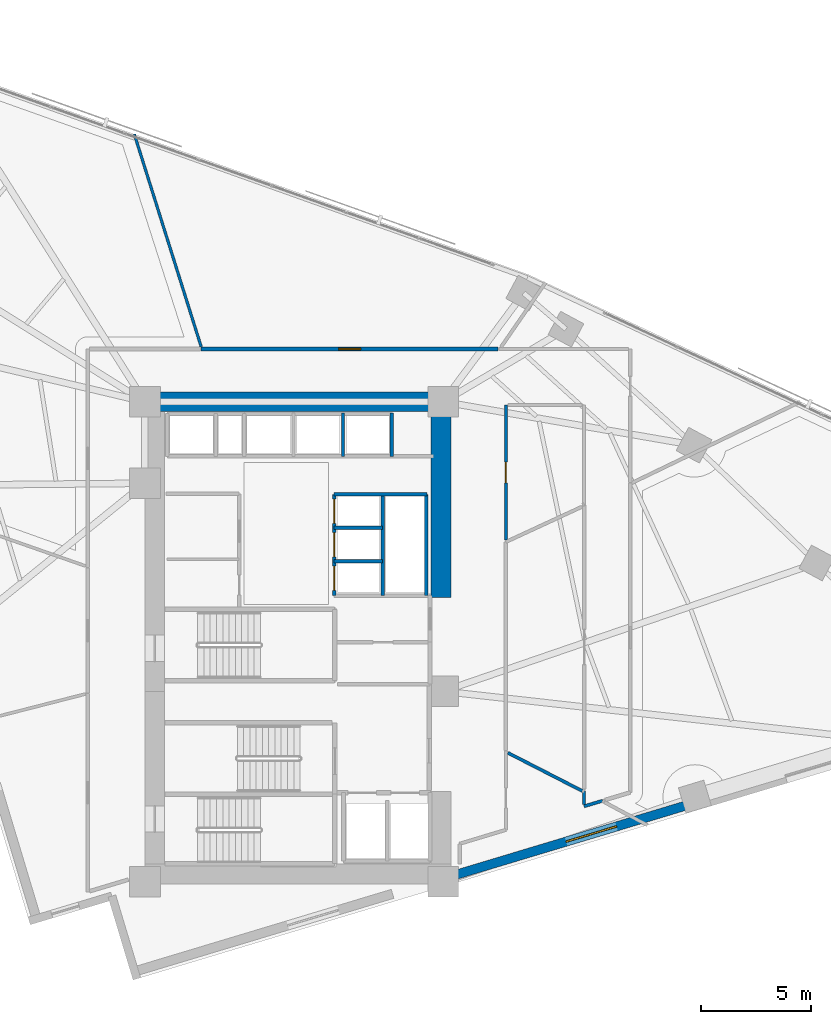
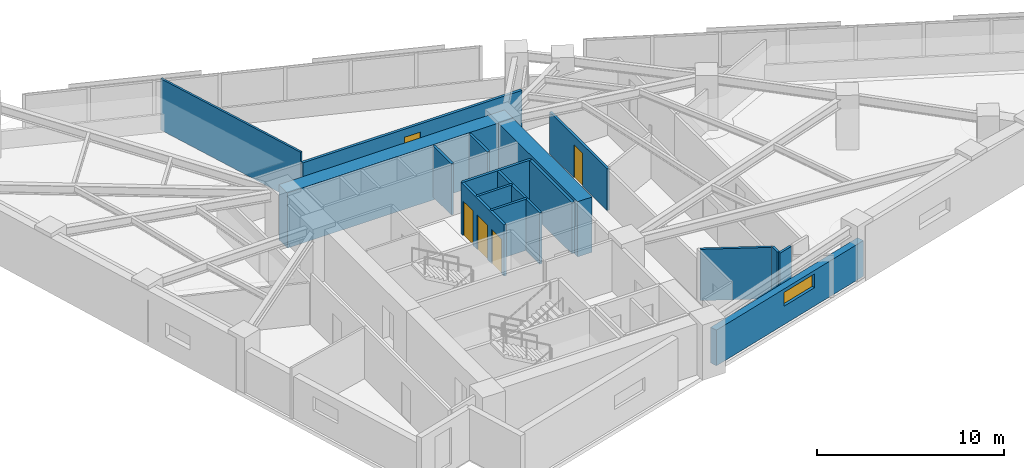
# One storey, part 11 of 16: 17 walls, 5 doors, 1 window, 6 openings.
"""IFC4 building model written with IfcOpenShell, lengths in metres."""

import ifcopenshell
import ifcopenshell.guid

model = None  # the IFC model being written
_history = None  # IfcOwnerHistory: only IFC2X3 demands one
_inside = {}  # id of a spatial element -> (the spatial element, [elements in it])
_under = {}  # id of a project, library or spatial element -> (it, [spatial elements below it])
_declared = {}  # id of a project -> (the project, [libraries it declares])
_typed = {}  # id of a type object -> (the type object, [elements of that type])
_made_of = {}  # id of a material, layer set ... -> (it, [elements and type objects made of it])


def new_model(schema):
    """Start an empty IFC model of exactly this schema.

    Asked for "IFC4X3", IfcOpenShell would pick the latest addendum, in which some entities
    have other attributes; the version numbers below select the first issue.
    IFC2X3 requires an IfcOwnerHistory on every rooted entity: one is made here for all.
    """
    global model, _history
    if schema == "IFC4X3":
        model = ifcopenshell.file(schema_version=(4, 3, 0, 0))
    else:
        model = ifcopenshell.file(schema=schema)
    _inside.clear()
    _under.clear()
    _declared.clear()
    _typed.clear()
    _made_of.clear()
    _history = None
    if model.schema == "IFC2X3":
        org = make("IfcOrganization", Name="unknown")
        user = make(
            "IfcPersonAndOrganization",
            ThePerson=make("IfcPerson", FamilyName="unknown"),
            TheOrganization=org,
        )
        app = make(
            "IfcApplication",
            ApplicationDeveloper=org,
            Version="unknown",
            ApplicationFullName="unknown",
            ApplicationIdentifier="unknown",
        )
        _history = make(
            "IfcOwnerHistory",
            OwningUser=user,
            OwningApplication=app,
            ChangeAction="ADDED",
            CreationDate=0,
        )
    return model


def make(cls, **values):
    """One entity of the class cls with the attributes given. An attribute that is None is left unset."""
    return model.create_entity(
        cls, **{name: value for name, value in values.items() if value is not None}
    )


def rooted(cls, **values):
    """An entity with a GlobalId (a new one), such as an element, a storey or a relation."""
    return make(cls, GlobalId=ifcopenshell.guid.new(), OwnerHistory=_history, **values)


def si_unit(unit_type, name, prefix=None):
    """IfcSIUnit, for example si_unit("LENGTHUNIT", "METRE", prefix="MILLI")."""
    return make("IfcSIUnit", UnitType=unit_type, Prefix=prefix, Name=name)


def assignment(units):
    """IfcUnitAssignment: the units of a project."""
    return None if units is None else make("IfcUnitAssignment", Units=units)


def point(xyz):
    """IfcCartesianPoint."""
    return None if xyz is None else make("IfcCartesianPoint", Coordinates=xyz)


def direction(xyz):
    """IfcDirection."""
    return None if xyz is None else make("IfcDirection", DirectionRatios=xyz)


def frame(location, z_axis=None, x_axis=None):
    """IfcAxis2Placement3D, a coordinate frame: its origin and axes. An axis left out is left unset."""
    return make(
        "IfcAxis2Placement3D",
        Location=point(location),
        Axis=direction(z_axis),
        RefDirection=direction(x_axis),
    )


def frame_2d(location, x_axis=None):
    """IfcAxis2Placement2D, a coordinate frame in the plane: its origin and x axis."""
    return make(
        "IfcAxis2Placement2D", Location=point(location), RefDirection=direction(x_axis)
    )


def origin():
    """The frame at (0, 0, 0) with its axes left unset."""
    return frame((0.0, 0.0, 0.0))


def place(relative_to, where):
    """IfcLocalPlacement: puts the frame where relative to a parent placement (None: the world)."""
    return make(
        "IfcLocalPlacement", PlacementRelTo=relative_to, RelativePlacement=where
    )


def context(
    kind, dimensions, precision=None, world=None, true_north=None, identifier=None
):
    """IfcGeometricRepresentationContext, for example the 3D "Model" context."""
    return make(
        "IfcGeometricRepresentationContext",
        ContextIdentifier=identifier,
        ContextType=kind,
        CoordinateSpaceDimension=dimensions,
        Precision=precision,
        WorldCoordinateSystem=world,
        TrueNorth=true_north,
    )


def subcontext(parent, identifier, kind, view, scale=None):
    """IfcGeometricRepresentationSubContext, for example "Body" below "Model"."""
    return make(
        "IfcGeometricRepresentationSubContext",
        ContextIdentifier=identifier,
        ContextType=kind,
        ParentContext=parent,
        TargetScale=scale,
        TargetView=view,
    )


def project(units=None, contexts=None):
    """IfcProject with its units and contexts."""
    return rooted(
        "IfcProject",
        Name="project",
        RepresentationContexts=contexts,
        UnitsInContext=assignment(units),
    )


def spatial(cls, under=None, at=None, **own):
    """A site, building, storey or space (cls), placed at a placement, below another one or the project."""
    s = rooted(cls, ObjectPlacement=at, **own)
    if under is not None:
        _under.setdefault(under.id(), (under, []))[1].append(s)
    return s


def profile(cls, at=None, kind="AREA", **sizes):
    """A parametric profile (cls). Its sizes go by their IFC names, for example OverallWidth=200.0."""
    return make(cls, ProfileType=kind, Position=at, **sizes)


def rectangle(**sizes):
    """IfcRectangleProfileDef."""
    return profile("IfcRectangleProfileDef", **sizes)


def extrude(swept, where, along, depth):
    """IfcExtrudedAreaSolid: the profile swept, set in the frame where, extruded along a direction by depth."""
    return make(
        "IfcExtrudedAreaSolid",
        SweptArea=swept,
        Position=where,
        ExtrudedDirection=direction(along),
        Depth=depth,
    )


def shape(context_of_items, identifier, shape_type, items):
    """IfcShapeRepresentation: the items that make up one representation, for example the "Body"."""
    return make(
        "IfcShapeRepresentation",
        ContextOfItems=context_of_items,
        RepresentationIdentifier=identifier,
        RepresentationType=shape_type,
        Items=items,
    )


def material(Name=None, Category=None):
    """IfcMaterial."""
    return make("IfcMaterial", Name=Name, Category=Category)


def layer(
    of_material, thickness, ventilated=None, Name=None, Category=None, Priority=None
):
    """IfcMaterialLayer: one layer of a wall or slab, of a material (None: an air gap)."""
    return make(
        "IfcMaterialLayer",
        Material=of_material,
        LayerThickness=thickness,
        IsVentilated=ventilated,
        Name=Name,
        Category=Category,
        Priority=Priority,
    )


def layer_set(layers, Name=None):
    """IfcMaterialLayerSet."""
    return make("IfcMaterialLayerSet", MaterialLayers=layers, LayerSetName=Name)


def made_of(thing, what):
    """Note that an element or type object is made of a material, layer set ...; save() writes the relation."""
    if what is not None:
        _made_of.setdefault(what.id(), (what, []))[1].append(thing)
    return thing


def type_object(cls, material=None, **own):
    """A type object (cls), such as IfcWallType, which elements share."""
    return made_of(rooted(cls, **own), material)


def element(
    cls,
    number,
    at=None,
    inside=None,
    cuts=None,
    type_object=None,
    material=None,
    context=None,
    identifier="Body",
    shape_type=None,
    held_by="IfcProductDefinitionShape",
    body=None,
    shapes=None,
    **own,
):
    """One element of the class cls, such as IfcWall. Its Tag is "e" and its number.

    at: its placement. inside: the storey or other place that contains it. cuts: it is an
    opening in that element (IfcRelVoidsElement). A single representation is given by context,
    identifier, shape_type and body (its items); several are given by shapes. held_by: the class
    of the entity that holds the representations. save() writes the other relations.
    """
    e = rooted(cls, Tag="e%d" % number, ObjectPlacement=at, **own)
    if body is not None:
        shapes = [shape(context, identifier, shape_type, body)]
    if shapes is not None:
        e.Representation = make(held_by, Representations=shapes)
    if inside is not None:
        _inside.setdefault(inside.id(), (inside, []))[1].append(e)
    if cuts is not None:
        rooted(
            "IfcRelVoidsElement", RelatingBuildingElement=cuts, RelatedOpeningElement=e
        )
    if type_object is not None:
        _typed.setdefault(type_object.id(), (type_object, []))[1].append(e)
    return made_of(e, material)


def fill(opening, filler):
    """IfcRelFillsElement: the door or window that sits in an opening."""
    return rooted(
        "IfcRelFillsElement",
        RelatingOpeningElement=opening,
        RelatedBuildingElement=filler,
    )


def aggregate(whole, parts):
    """IfcRelAggregates: a whole, such as a stair, and the parts it consists of."""
    return rooted("IfcRelAggregates", RelatingObject=whole, RelatedObjects=parts)


def save(model, path):
    """Write the relations noted so far, then the file.

    IfcRelAggregates (storeys below a building ...), IfcRelContainedInSpatialStructure (elements
    in a storey), IfcRelDefinesByType, IfcRelAssociatesMaterial and IfcRelDeclares: one each for
    every whole, place, type object, material and project.
    """
    for whole, parts in _under.values():
        aggregate(whole, parts)
    for where, things in _inside.values():
        rooted(
            "IfcRelContainedInSpatialStructure",
            RelatedElements=things,
            RelatingStructure=where,
        )
    for kind, things in _typed.values():
        rooted("IfcRelDefinesByType", RelatedObjects=things, RelatingType=kind)
    for what, things in _made_of.values():
        rooted("IfcRelAssociatesMaterial", RelatedObjects=things, RelatingMaterial=what)
    for by, libraries in _declared.values():
        rooted("IfcRelDeclares", RelatingContext=by, RelatedDefinitions=libraries)
    model.write(path)


model = new_model("IFC4")

# Units and contexts
model_context = context("Model", 3, precision=1e-05, world=origin(), true_north=direction((0.0, 1.0)))
body_context = subcontext(model_context, "Body", "Model", "MODEL_VIEW")
ifc_project = project(units=[si_unit("LENGTHUNIT", "METRE"), si_unit("AREAUNIT", "SQUARE_METRE"), si_unit("VOLUMEUNIT", "CUBIC_METRE"), si_unit("PLANEANGLEUNIT", "RADIAN"), si_unit("MASSUNIT", "GRAM", prefix="KILO")], contexts=[model_context])

# Site, building, storey
site_placement = place(None, origin())
site = spatial("IfcSite", under=ifc_project, at=site_placement, CompositionType="ELEMENT")
building_placement = place(site_placement, origin())
building = spatial("IfcBuilding", under=site, at=building_placement, Name="Narakoshi Arena Tower", CompositionType="ELEMENT")
storey_placement = place(building_placement, frame((0.0, 0.0, 146.699951171875)))
storey = spatial("IfcBuildingStorey", under=building, at=storey_placement, Name="L39", CompositionType="ELEMENT", Elevation=146.699951171875)

# Walls
ifc_material_1 = material(Name="Concrete C60/75", Category="concrete")
ifc_layer_1 = layer(ifc_material_1, 0.89990234375)
ifc_layer_set_1 = layer_set([ifc_layer_1], Name="Concrete C60/75")
wall_type_1 = type_object("IfcWallType", Name="WL-CORE-900", PredefinedType="SHEAR", material=ifc_layer_set_1)
wall_1_placement = place(storey_placement, frame((72.0, 56.5, -0.260009765625), z_axis=(0.0, 0.0, 1.0), x_axis=(1.0, 0.0, 0.0)))
element("IfcWall", 1, at=wall_1_placement, inside=storey, type_object=wall_type_1, Name="L39 Main Core Shear Wall CW-MN-N", PredefinedType="SHEAR", context=body_context, shape_type="SweptSolid", body=[
    extrude(rectangle(XDim=13.89990234375, YDim=0.89990234375, at=frame_2d((6.949951171875, 0.0))), origin(), (0.0, 0.0, 1.0), 3.60009765625),
])
wall_2_placement = place(storey_placement, frame((85.449951171875, 47.60009765625, -0.260009765625), z_axis=(0.0, 0.0, 1.0), x_axis=(0.0, 1.0, 0.0)))
element("IfcWall", 2, at=wall_2_placement, inside=storey, type_object=wall_type_1, Name="L39 Main Core Shear Wall CW-MN-E", PredefinedType="SHEAR", context=body_context, shape_type="SweptSolid", body=[
    extrude(rectangle(XDim=8.449951171875, YDim=0.89990234375, at=frame_2d((4.22509765625, 0.0))), origin(), (0.0, 0.0, 1.0), 3.60009765625),
])

# Wall, opening, door
ifc_material_2 = material(Name="Gypsum plasterboard fire-rated partition")
ifc_layer_2 = layer(ifc_material_2, 0.1650390625)
ifc_layer_set_2 = layer_set([ifc_layer_2], Name="Gypsum plasterboard fire-rated partition")
wall_type_2 = type_object("IfcWallType", Name="WL-CORR-165", PredefinedType="PARTITIONING", material=ifc_layer_set_2)
wall_3_placement = place(storey_placement, frame((88.04638671875, 58.89990234375, 0.0), z_axis=(0.0, 0.0, 1.0), x_axis=(-1.0, 0.0, 0.0)))
wall_3 = element("IfcWall", 3, at=wall_3_placement, inside=storey, type_object=wall_type_2, Name="L39 Corridor Partition 07-1", PredefinedType="PARTITIONING", context=body_context, shape_type="SweptSolid", body=[
    extrude(rectangle(XDim=13.4912109375, YDim=0.1650390625, at=frame_2d((6.74560546875, 0.0))), origin(), (0.0, 0.0, 1.0), 2.72509765625),
])
opening_1_placement = place(wall_3_placement, frame((6.24560546875, 0.0, 0.0)))
opening_1 = element("IfcOpeningElement", 4, at=opening_1_placement, cuts=wall_3, Name="Opening D-06", PredefinedType="OPENING", context=body_context, shape_type="SweptSolid", body=[
    extrude(rectangle(XDim=1.0, YDim=2.199951171875, at=frame_2d((0.5, 1.10009765625))), frame((0.0, 0.092529296875, 0.0), z_axis=(0.0, -1.0, 0.0), x_axis=(1.0, 0.0, 0.0)), (0.0, 0.0, 1.0), 0.18505859375),
])
ifc_material_3 = material(Name="Stained oak solid-core timber", Category="wood")
door_type_1 = type_object("IfcDoorType", Name="DR-OFF-1000", OperationType="NOTDEFINED", PredefinedType="DOOR", material=ifc_material_3)
door_1_placement = place(opening_1_placement, frame((1.0, 0.0, 0.0), z_axis=(0.0, 0.0, 1.0), x_axis=(-1.0, 0.0, 0.0)))
door_1 = element("IfcDoor", 5, at=door_1_placement, inside=storey, type_object=door_type_1, Name="DR-L39-021", OperationType="SINGLE_SWING_LEFT", OverallHeight=2.199951171875, OverallWidth=1.0, PredefinedType="DOOR", context=body_context, shape_type="SweptSolid", body=[
    extrude(rectangle(XDim=1.0, YDim=2.199951171875, at=frame_2d((0.5, 1.10009765625))), frame((0.0, 0.02490234375, 0.0), z_axis=(0.0, -1.0, 0.0), x_axis=(1.0, 0.0, 0.0)), (0.0, 0.0, 1.0), 0.050048828125),
])
fill(opening_1, door_1)

# Wall
ifc_layer_3 = layer(ifc_material_2, 0.125)
ifc_layer_set_3 = layer_set([ifc_layer_3], Name="Gypsum plasterboard fire-rated partition")
wall_type_3 = type_object("IfcWallType", Name="WL-PART-125", PredefinedType="PARTITIONING", material=ifc_layer_set_3)
wall_4_placement = place(storey_placement, frame((74.560302734375, 58.994384765625, 0.0), z_axis=(0.0, 0.0, 1.0), x_axis=(-0.300072264395, 0.953916472308, 0.0)))
element("IfcWall", 6, at=wall_4_placement, inside=storey, type_object=wall_type_3, Name="L39 Inter-Room Partition 07-08", PredefinedType="PARTITIONING", context=body_context, shape_type="SweptSolid", body=[
    extrude(rectangle(XDim=10.12939453125, YDim=0.125, at=frame_2d((5.064697265625, 0.0))), origin(), (0.0, 0.0, 1.0), 3.340087890625),
])

# Wall, opening, window
ifc_material_4 = material(Name="Precast concrete C45/55", Category="concrete")
ifc_layer_4 = layer(ifc_material_4, 0.419921875)
ifc_layer_set_4 = layer_set([ifc_layer_4], Name="Precast concrete C45/55")
wall_type_4 = type_object("IfcWallType", Name="WL-POD-420", PredefinedType="SOLIDWALL", material=ifc_layer_set_4)
wall_5_placement = place(storey_placement, frame((86.10009765625, 35.00732421875, 0.0), z_axis=(0.0, 0.0, 1.0), x_axis=(0.957569401796, 0.288202777129, 0.0)))
wall_5 = element("IfcWall", 7, at=wall_5_placement, inside=storey, type_object=wall_type_4, Name="L39 Architectural Concrete Facade Wall LEGA-2", PredefinedType="SOLIDWALL", context=body_context, shape_type="SweptSolid", body=[
    extrude(rectangle(XDim=11.447998046875, YDim=0.419921875, at=frame_2d((5.72412109375, 0.0))), origin(), (0.0, 0.0, 1.0), 2.324951171875),
])
opening_2_placement = place(wall_5_placement, frame((5.251953125, 0.0, 1.199951171875)))
opening_2 = element("IfcOpeningElement", 8, at=opening_2_placement, cuts=wall_5, Name="Opening WN-01", PredefinedType="OPENING", context=body_context, shape_type="SweptSolid", body=[
    extrude(rectangle(XDim=2.39990234375, YDim=0.89990234375, at=frame_2d((1.199951171875, 0.449951171875))), frame((0.0, 0.219970703125, 0.0), z_axis=(0.0, -1.0, 0.0), x_axis=(1.0, 0.0, 0.0)), (0.0, 0.0, 1.0), 0.43994140625),
])
ifc_material_5 = material(Name="Bronze-tinted low-E laminated glass", Category="glass")
window_type = type_object("IfcWindowType", Name="WIN-SLT-24x09", PartitioningType="SINGLE_PANEL", PredefinedType="WINDOW", material=ifc_material_5)
window_placement = place(opening_2_placement, origin())
window = element("IfcWindow", 9, at=window_placement, inside=storey, type_object=window_type, Name="L39 LEGA2 Horizontal Slot Window 1", OverallHeight=0.89990234375, OverallWidth=2.39990234375, PartitioningType="SINGLE_PANEL", PredefinedType="WINDOW", context=body_context, shape_type="SweptSolid", body=[
    extrude(rectangle(XDim=2.39990234375, YDim=0.89990234375, at=frame_2d((1.199951171875, 0.449951171875))), frame((0.0, 0.030029296875, 0.0), z_axis=(0.0, -1.0, 0.0), x_axis=(1.0, 0.0, 0.0)), (0.0, 0.0, 1.0), 0.06005859375),
])
fill(opening_2, window)

# Walls
ifc_material_6 = material(Name="Concrete C40/50", Category="concrete")
ifc_layer_5 = layer(ifc_material_6, 0.280029296875)
ifc_layer_set_5 = layer_set([ifc_layer_5], Name="Concrete C40/50")
wall_type_5 = type_object("IfcWallType", Name="WL-RISER-280", PredefinedType="PLUMBINGWALL", material=ifc_layer_set_5)
for number, where, z_axis, x_axis, name in (
    (10, (80.60009765625, 49.260009765625, 0.0), (0.0, 0.0, 1.0), (1.0, 0.0, 0.0), "L39 Core Wall MR-D1"),
    (11, (80.60009765625, 50.780029296875, 0.0), (0.0, 0.0, 1.0), (1.0, 0.0, 0.0), "L39 Core Wall MR-D2"),
):
    element("IfcWall", number, at=place(storey_placement, frame(where, z_axis=z_axis, x_axis=x_axis)), inside=storey, type_object=wall_type_5, Name=name, PredefinedType="PLUMBINGWALL", context=body_context, shape_type="SweptSolid", body=[
        extrude(rectangle(XDim=2.199951171875, YDim=0.14990234375, at=frame_2d((1.10009765625, 0.0))), origin(), (0.0, 0.0, 1.0), 3.340087890625),
    ])
wall_6_placement = place(storey_placement, frame((82.800048828125, 47.699951171875, 0.0), z_axis=(0.0, 0.0, 1.0), x_axis=(0.0, 1.0, 0.0)))
element("IfcWall", 12, at=wall_6_placement, inside=storey, type_object=wall_type_5, Name="L39 Core Wall MR-E", PredefinedType="PLUMBINGWALL", context=body_context, shape_type="SweptSolid", body=[
    extrude(rectangle(XDim=4.60009765625, YDim=0.14990234375, at=frame_2d((2.300048828125, 0.0))), origin(), (0.0, 0.0, 1.0), 3.340087890625),
])
wall_7_placement = place(storey_placement, frame((81.0, 54.02001953125, 0.0), z_axis=(0.0, 0.0, 1.0), x_axis=(0.0, 1.0, 0.0)))
element("IfcWall", 13, at=wall_7_placement, inside=storey, type_object=wall_type_5, Name="L39 Core Wall HR-D2", PredefinedType="PLUMBINGWALL", context=body_context, shape_type="SweptSolid", body=[
    extrude(rectangle(XDim=1.9599609375, YDim=0.14990234375, at=frame_2d((0.97998046875, 0.0))), origin(), (0.0, 0.0, 1.0), 3.340087890625),
])

# Wall, openings, doors
ifc_material_7 = material(Name="Concrete C50/60", Category="concrete")
ifc_layer_6 = layer(ifc_material_7, 0.35009765625)
ifc_layer_set_6 = layer_set([ifc_layer_6], Name="Concrete C50/60")
wall_type_6 = type_object("IfcWallType", Name="WL-SHAFT-350", PredefinedType="SOLIDWALL", material=ifc_layer_set_6)
wall_8_placement = place(storey_placement, frame((80.60009765625, 47.699951171875, 0.0), z_axis=(0.0, 0.0, 1.0), x_axis=(0.0, 1.0, 0.0)))
wall_8 = element("IfcWall", 14, at=wall_8_placement, inside=storey, type_object=wall_type_6, Name="L39 Core Wall MR-W", PredefinedType="SOLIDWALL", context=body_context, shape_type="SweptSolid", body=[
    extrude(rectangle(XDim=4.60009765625, YDim=0.159912109375, at=frame_2d((2.300048828125, 0.0))), origin(), (0.0, 0.0, 1.0), 3.340087890625),
])
opening_3_placement = place(wall_8_placement, frame((0.239990234375, 0.0, 0.0)))
opening_3 = element("IfcOpeningElement", 15, at=opening_3_placement, cuts=wall_8, Name="Opening LD-01", PredefinedType="OPENING", context=body_context, shape_type="SweptSolid", body=[
    extrude(rectangle(XDim=1.10009765625, YDim=2.25, at=frame_2d((0.550048828125, 1.125))), frame((0.0, 0.08984375, 0.0), z_axis=(0.0, -1.0, 0.0), x_axis=(1.0, 0.0, 0.0)), (0.0, 0.0, 1.0), 0.179931640625),
])
opening_4_placement = place(wall_8_placement, frame((1.760009765625, 0.0, 0.0)))
opening_4 = element("IfcOpeningElement", 16, at=opening_4_placement, cuts=wall_8, Name="Opening LD-01", PredefinedType="OPENING", context=body_context, shape_type="SweptSolid", body=[
    extrude(rectangle(XDim=1.10009765625, YDim=2.25, at=frame_2d((0.550048828125, 1.125))), frame((0.0, 0.08984375, 0.0), z_axis=(0.0, -1.0, 0.0), x_axis=(1.0, 0.0, 0.0)), (0.0, 0.0, 1.0), 0.179931640625),
])
opening_5_placement = place(wall_8_placement, frame((3.280029296875, 0.0, 0.0)))
opening_5 = element("IfcOpeningElement", 17, at=opening_5_placement, cuts=wall_8, Name="Opening LD-01", PredefinedType="OPENING", context=body_context, shape_type="SweptSolid", body=[
    extrude(rectangle(XDim=1.10009765625, YDim=2.25, at=frame_2d((0.550048828125, 1.125))), frame((0.0, 0.08984375, 0.0), z_axis=(0.0, -1.0, 0.0), x_axis=(1.0, 0.0, 0.0)), (0.0, 0.0, 1.0), 0.179931640625),
])
ifc_material_8 = material(Name="Brushed bronze stainless steel", Category="steel")
door_type_2 = type_object("IfcDoorType", Name="DR-LFT-1100", OperationType="DOUBLE_DOOR_SLIDING", PredefinedType="DOOR", material=ifc_material_8)
door_2_placement = place(opening_3_placement, frame((1.10009765625, 0.0, 0.0), z_axis=(0.0, 0.0, 1.0), x_axis=(-1.0, 0.0, 0.0)))
door_2 = element("IfcDoor", 18, at=door_2_placement, inside=storey, type_object=door_type_2, Name="DR-L39-012", OperationType="DOUBLE_DOOR_SLIDING", OverallHeight=2.25, OverallWidth=1.10009765625, PredefinedType="DOOR", context=body_context, shape_type="SweptSolid", body=[
    extrude(rectangle(XDim=1.10009765625, YDim=2.25, at=frame_2d((0.550048828125, 1.125))), frame((0.0, 0.02490234375, 0.0), z_axis=(0.0, -1.0, 0.0), x_axis=(1.0, 0.0, 0.0)), (0.0, 0.0, 1.0), 0.050048828125),
])
fill(opening_3, door_2)
door_3_placement = place(opening_4_placement, frame((1.10009765625, 0.0, 0.0), z_axis=(0.0, 0.0, 1.0), x_axis=(-1.0, 0.0, 0.0)))
door_3 = element("IfcDoor", 19, at=door_3_placement, inside=storey, type_object=door_type_2, Name="DR-L39-013", OperationType="DOUBLE_DOOR_SLIDING", OverallHeight=2.25, OverallWidth=1.10009765625, PredefinedType="DOOR", context=body_context, shape_type="SweptSolid", body=[
    extrude(rectangle(XDim=1.10009765625, YDim=2.25, at=frame_2d((0.550048828125, 1.125))), frame((0.0, 0.02490234375, 0.0), z_axis=(0.0, -1.0, 0.0), x_axis=(1.0, 0.0, 0.0)), (0.0, 0.0, 1.0), 0.050048828125),
])
fill(opening_4, door_3)
door_4_placement = place(opening_5_placement, frame((1.10009765625, 0.0, 0.0), z_axis=(0.0, 0.0, 1.0), x_axis=(-1.0, 0.0, 0.0)))
door_4 = element("IfcDoor", 20, at=door_4_placement, inside=storey, type_object=door_type_2, Name="DR-L39-014", OperationType="DOUBLE_DOOR_SLIDING", OverallHeight=2.25, OverallWidth=1.10009765625, PredefinedType="DOOR", context=body_context, shape_type="SweptSolid", body=[
    extrude(rectangle(XDim=1.10009765625, YDim=2.25, at=frame_2d((0.550048828125, 1.125))), frame((0.0, 0.02490234375, 0.0), z_axis=(0.0, -1.0, 0.0), x_axis=(1.0, 0.0, 0.0)), (0.0, 0.0, 1.0), 0.050048828125),
])
fill(opening_5, door_4)

# Walls
wall_9_placement = place(storey_placement, frame((80.60009765625, 52.300048828125, 0.0), z_axis=(0.0, 0.0, 1.0), x_axis=(1.0, 0.0, 0.0)))
element("IfcWall", 21, at=wall_9_placement, inside=storey, type_object=wall_type_6, Name="L39 Core Wall MR-N", PredefinedType="SOLIDWALL", context=body_context, shape_type="SweptSolid", body=[
    extrude(rectangle(XDim=4.219970703125, YDim=0.159912109375, at=frame_2d((2.10986328125, 0.0))), origin(), (0.0, 0.0, 1.0), 3.340087890625),
])
wall_10_placement = place(storey_placement, frame((84.780029296875, 47.699951171875, 0.0), z_axis=(0.0, 0.0, 1.0), x_axis=(0.0, 1.0, 0.0)))
element("IfcWall", 22, at=wall_10_placement, inside=storey, type_object=wall_type_6, Name="L39 Core Wall MR-E2", PredefinedType="SOLIDWALL", context=body_context, shape_type="SweptSolid", body=[
    extrude(rectangle(XDim=4.60009765625, YDim=0.159912109375, at=frame_2d((2.300048828125, 0.0))), origin(), (0.0, 0.0, 1.0), 3.340087890625),
])
wall_11_placement = place(storey_placement, frame((83.219970703125, 54.02001953125, 0.0), z_axis=(0.0, 0.0, 1.0), x_axis=(0.0, 1.0, 0.0)))
element("IfcWall", 23, at=wall_11_placement, inside=storey, type_object=wall_type_6, Name="L39 Core Wall HR-E", PredefinedType="SOLIDWALL", context=body_context, shape_type="SweptSolid", body=[
    extrude(rectangle(XDim=1.9599609375, YDim=0.14990234375, at=frame_2d((0.97998046875, 0.0))), origin(), (0.0, 0.0, 1.0), 3.340087890625),
])
ifc_material_9 = material(Name="Moisture-resistant cement-board partition")
ifc_layer_7 = layer(ifc_material_9, 0.14501953125)
ifc_layer_set_7 = layer_set([ifc_layer_7], Name="Moisture-resistant cement-board partition")
wall_type_7 = type_object("IfcWallType", Name="WL-WET-145", PredefinedType="PARTITIONING", material=ifc_layer_set_7)
wall_12_placement = place(storey_placement, frame((91.949951171875, 38.12548828125, 0.0), z_axis=(0.0, 0.0, 1.0), x_axis=(0.957558890861, 0.288237697973, 0.0)))
element("IfcWall", 24, at=wall_12_placement, inside=storey, type_object=wall_type_7, Name="L39 Corridor Partition 02-3", PredefinedType="PARTITIONING", context=body_context, shape_type="SweptSolid", body=[
    extrude(rectangle(XDim=0.880859375, YDim=0.14501953125, at=frame_2d((0.4404296875, 0.0))), origin(), (0.0, 0.0, 1.0), 3.340087890625),
])
wall_13_placement = place(storey_placement, frame((91.949951171875, 38.813720703125, 0.0), z_axis=(0.0, 0.0, 1.0), x_axis=(0.0, -1.0, 0.0)))
element("IfcWall", 25, at=wall_13_placement, inside=storey, type_object=wall_type_7, Name="L39 Corridor Partition 02-4", PredefinedType="PARTITIONING", context=body_context, shape_type="SweptSolid", body=[
    extrude(rectangle(XDim=0.599853515625, YDim=0.14501953125, at=frame_2d((0.2998046875, 0.0))), origin(), (0.0, 0.0, 1.0), 3.340087890625),
])
wall_14_placement = place(storey_placement, frame((88.484619140625, 40.558349609375, 0.0), z_axis=(0.0, 0.0, 1.0), x_axis=(0.889781453311, -0.456386859303, 0.0)))
element("IfcWall", 26, at=wall_14_placement, inside=storey, type_object=wall_type_7, Name="L39 Inter-Room Partition 02-03", PredefinedType="PARTITIONING", context=body_context, shape_type="SweptSolid", body=[
    extrude(rectangle(XDim=3.81201171875, YDim=0.14501953125, at=frame_2d((1.906005859375, 0.0))), origin(), (0.0, 0.0, 1.0), 3.340087890625),
])

# Wall, opening, door
wall_15_placement = place(storey_placement, frame((88.39990234375, 50.22802734375, 0.0), z_axis=(0.0, 0.0, 1.0), x_axis=(0.0, 1.0, 0.0)))
wall_15 = element("IfcWall", 27, at=wall_15_placement, inside=storey, type_object=wall_type_7, Name="L39 Corridor Partition 05-1", PredefinedType="PARTITIONING", context=body_context, shape_type="SweptSolid", body=[
    extrude(rectangle(XDim=6.1220703125, YDim=0.14501953125, at=frame_2d((3.06103515625, 0.0))), origin(), (0.0, 0.0, 1.0), 2.72509765625),
])
opening_6_placement = place(wall_15_placement, frame((2.5859375, 0.0, 0.0)))
opening_6 = element("IfcOpeningElement", 28, at=opening_6_placement, cuts=wall_15, Name="Opening D-07", PredefinedType="OPENING", context=body_context, shape_type="SweptSolid", body=[
    extrude(rectangle(XDim=0.949951171875, YDim=2.14990234375, at=frame_2d((0.47509765625, 1.074951171875))), frame((0.0, 0.08251953125, 0.0), z_axis=(0.0, -1.0, 0.0), x_axis=(1.0, 0.0, 0.0)), (0.0, 0.0, 1.0), 0.1650390625),
])
door_type_3 = type_object("IfcDoorType", Name="DR-ACC-950", OperationType="NOTDEFINED", PredefinedType="DOOR", material=ifc_material_3)
door_5_placement = place(opening_6_placement, frame((0.949951171875, 0.0, 0.0), z_axis=(0.0, 0.0, 1.0), x_axis=(-1.0, 0.0, 0.0)))
door_5 = element("IfcDoor", 29, at=door_5_placement, inside=storey, type_object=door_type_3, Name="DR-L39-019", OperationType="SINGLE_SWING_LEFT", OverallHeight=2.14990234375, OverallWidth=0.949951171875, PredefinedType="DOOR", context=body_context, shape_type="SweptSolid", body=[
    extrude(rectangle(XDim=0.949951171875, YDim=2.14990234375, at=frame_2d((0.47509765625, 1.074951171875))), frame((0.0, 0.02490234375, 0.0), z_axis=(0.0, -1.0, 0.0), x_axis=(1.0, 0.0, 0.0)), (0.0, 0.0, 1.0), 0.050048828125),
])
fill(opening_6, door_5)

save(model, "model.ifc")
